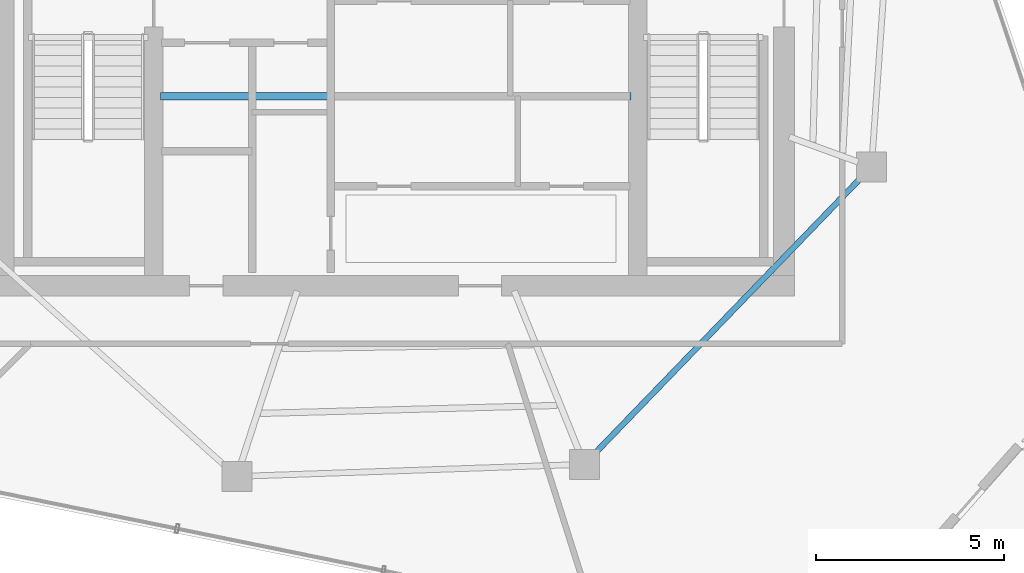
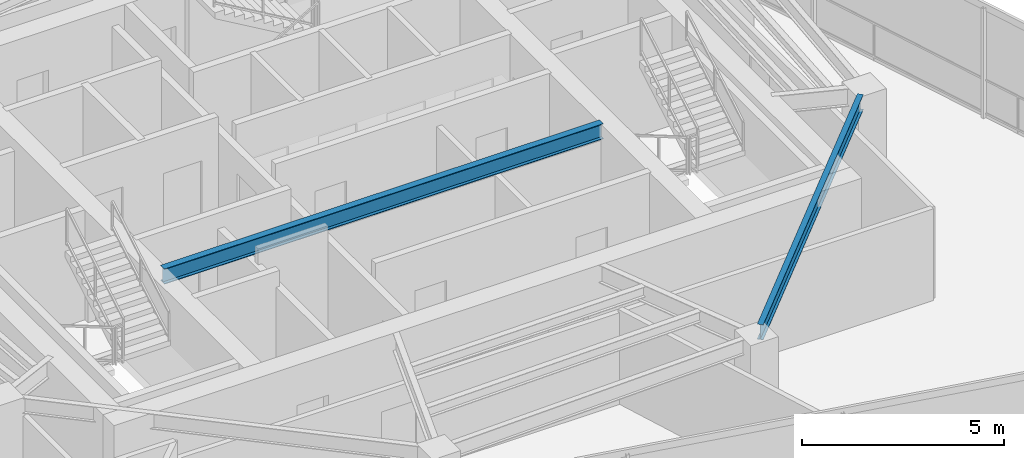
# One storey, part 5 of 18: 2 beams.
"""IFC4 building model written with IfcOpenShell, lengths in metres."""

import ifcopenshell
import ifcopenshell.guid

model = None  # the IFC model being written
_history = None  # IfcOwnerHistory: only IFC2X3 demands one
_inside = {}  # id of a spatial element -> (the spatial element, [elements in it])
_under = {}  # id of a project, library or spatial element -> (it, [spatial elements below it])
_declared = {}  # id of a project -> (the project, [libraries it declares])
_typed = {}  # id of a type object -> (the type object, [elements of that type])
_made_of = {}  # id of a material, layer set ... -> (it, [elements and type objects made of it])


def new_model(schema):
    """Start an empty IFC model of exactly this schema.

    Asked for "IFC4X3", IfcOpenShell would pick the latest addendum, in which some entities
    have other attributes; the version numbers below select the first issue.
    IFC2X3 requires an IfcOwnerHistory on every rooted entity: one is made here for all.
    """
    global model, _history
    if schema == "IFC4X3":
        model = ifcopenshell.file(schema_version=(4, 3, 0, 0))
    else:
        model = ifcopenshell.file(schema=schema)
    _inside.clear()
    _under.clear()
    _declared.clear()
    _typed.clear()
    _made_of.clear()
    _history = None
    if model.schema == "IFC2X3":
        org = make("IfcOrganization", Name="unknown")
        user = make(
            "IfcPersonAndOrganization",
            ThePerson=make("IfcPerson", FamilyName="unknown"),
            TheOrganization=org,
        )
        app = make(
            "IfcApplication",
            ApplicationDeveloper=org,
            Version="unknown",
            ApplicationFullName="unknown",
            ApplicationIdentifier="unknown",
        )
        _history = make(
            "IfcOwnerHistory",
            OwningUser=user,
            OwningApplication=app,
            ChangeAction="ADDED",
            CreationDate=0,
        )
    return model


def make(cls, **values):
    """One entity of the class cls with the attributes given. An attribute that is None is left unset."""
    return model.create_entity(
        cls, **{name: value for name, value in values.items() if value is not None}
    )


def rooted(cls, **values):
    """An entity with a GlobalId (a new one), such as an element, a storey or a relation."""
    return make(cls, GlobalId=ifcopenshell.guid.new(), OwnerHistory=_history, **values)


def si_unit(unit_type, name, prefix=None):
    """IfcSIUnit, for example si_unit("LENGTHUNIT", "METRE", prefix="MILLI")."""
    return make("IfcSIUnit", UnitType=unit_type, Prefix=prefix, Name=name)


def assignment(units):
    """IfcUnitAssignment: the units of a project."""
    return None if units is None else make("IfcUnitAssignment", Units=units)


def point(xyz):
    """IfcCartesianPoint."""
    return None if xyz is None else make("IfcCartesianPoint", Coordinates=xyz)


def direction(xyz):
    """IfcDirection."""
    return None if xyz is None else make("IfcDirection", DirectionRatios=xyz)


def frame(location, z_axis=None, x_axis=None):
    """IfcAxis2Placement3D, a coordinate frame: its origin and axes. An axis left out is left unset."""
    return make(
        "IfcAxis2Placement3D",
        Location=point(location),
        Axis=direction(z_axis),
        RefDirection=direction(x_axis),
    )


def frame_2d(location, x_axis=None):
    """IfcAxis2Placement2D, a coordinate frame in the plane: its origin and x axis."""
    return make(
        "IfcAxis2Placement2D", Location=point(location), RefDirection=direction(x_axis)
    )


def origin():
    """The frame at (0, 0, 0) with its axes left unset."""
    return frame((0.0, 0.0, 0.0))


def origin_2d():
    """The frame at (0, 0) in the plane with its x axis left unset."""
    return frame_2d((0.0, 0.0))


def place(relative_to, where):
    """IfcLocalPlacement: puts the frame where relative to a parent placement (None: the world)."""
    return make(
        "IfcLocalPlacement", PlacementRelTo=relative_to, RelativePlacement=where
    )


def context(
    kind, dimensions, precision=None, world=None, true_north=None, identifier=None
):
    """IfcGeometricRepresentationContext, for example the 3D "Model" context."""
    return make(
        "IfcGeometricRepresentationContext",
        ContextIdentifier=identifier,
        ContextType=kind,
        CoordinateSpaceDimension=dimensions,
        Precision=precision,
        WorldCoordinateSystem=world,
        TrueNorth=true_north,
    )


def subcontext(parent, identifier, kind, view, scale=None):
    """IfcGeometricRepresentationSubContext, for example "Body" below "Model"."""
    return make(
        "IfcGeometricRepresentationSubContext",
        ContextIdentifier=identifier,
        ContextType=kind,
        ParentContext=parent,
        TargetScale=scale,
        TargetView=view,
    )


def project(units=None, contexts=None):
    """IfcProject with its units and contexts."""
    return rooted(
        "IfcProject",
        Name="project",
        RepresentationContexts=contexts,
        UnitsInContext=assignment(units),
    )


def spatial(cls, under=None, at=None, **own):
    """A site, building, storey or space (cls), placed at a placement, below another one or the project."""
    s = rooted(cls, ObjectPlacement=at, **own)
    if under is not None:
        _under.setdefault(under.id(), (under, []))[1].append(s)
    return s


def profile(cls, at=None, kind="AREA", **sizes):
    """A parametric profile (cls). Its sizes go by their IFC names, for example OverallWidth=200.0."""
    return make(cls, ProfileType=kind, Position=at, **sizes)


def i_section(**sizes):
    """IfcIShapeProfileDef."""
    return profile("IfcIShapeProfileDef", **sizes)


def extrude(swept, where, along, depth):
    """IfcExtrudedAreaSolid: the profile swept, set in the frame where, extruded along a direction by depth."""
    return make(
        "IfcExtrudedAreaSolid",
        SweptArea=swept,
        Position=where,
        ExtrudedDirection=direction(along),
        Depth=depth,
    )


def shape(context_of_items, identifier, shape_type, items):
    """IfcShapeRepresentation: the items that make up one representation, for example the "Body"."""
    return make(
        "IfcShapeRepresentation",
        ContextOfItems=context_of_items,
        RepresentationIdentifier=identifier,
        RepresentationType=shape_type,
        Items=items,
    )


def material(Name=None, Category=None):
    """IfcMaterial."""
    return make("IfcMaterial", Name=Name, Category=Category)


def material_profile(
    of_material, cross_section, Name=None, Category=None, Priority=None
):
    """IfcMaterialProfile: a cross section and its material."""
    return make(
        "IfcMaterialProfile",
        Name=Name,
        Material=of_material,
        Profile=cross_section,
        Priority=Priority,
        Category=Category,
    )


def profile_set(profiles, Name=None, composite=None):
    """IfcMaterialProfileSet."""
    return make(
        "IfcMaterialProfileSet",
        Name=Name,
        MaterialProfiles=profiles,
        CompositeProfile=composite,
    )


def made_of(thing, what):
    """Note that an element or type object is made of a material, layer set ...; save() writes the relation."""
    if what is not None:
        _made_of.setdefault(what.id(), (what, []))[1].append(thing)
    return thing


def type_object(cls, material=None, **own):
    """A type object (cls), such as IfcWallType, which elements share."""
    return made_of(rooted(cls, **own), material)


def element(
    cls,
    number,
    at=None,
    inside=None,
    cuts=None,
    type_object=None,
    material=None,
    context=None,
    identifier="Body",
    shape_type=None,
    held_by="IfcProductDefinitionShape",
    body=None,
    shapes=None,
    **own,
):
    """One element of the class cls, such as IfcWall. Its Tag is "e" and its number.

    at: its placement. inside: the storey or other place that contains it. cuts: it is an
    opening in that element (IfcRelVoidsElement). A single representation is given by context,
    identifier, shape_type and body (its items); several are given by shapes. held_by: the class
    of the entity that holds the representations. save() writes the other relations.
    """
    e = rooted(cls, Tag="e%d" % number, ObjectPlacement=at, **own)
    if body is not None:
        shapes = [shape(context, identifier, shape_type, body)]
    if shapes is not None:
        e.Representation = make(held_by, Representations=shapes)
    if inside is not None:
        _inside.setdefault(inside.id(), (inside, []))[1].append(e)
    if cuts is not None:
        rooted(
            "IfcRelVoidsElement", RelatingBuildingElement=cuts, RelatedOpeningElement=e
        )
    if type_object is not None:
        _typed.setdefault(type_object.id(), (type_object, []))[1].append(e)
    return made_of(e, material)


def aggregate(whole, parts):
    """IfcRelAggregates: a whole, such as a stair, and the parts it consists of."""
    return rooted("IfcRelAggregates", RelatingObject=whole, RelatedObjects=parts)


def save(model, path):
    """Write the relations noted so far, then the file.

    IfcRelAggregates (storeys below a building ...), IfcRelContainedInSpatialStructure (elements
    in a storey), IfcRelDefinesByType, IfcRelAssociatesMaterial and IfcRelDeclares: one each for
    every whole, place, type object, material and project.
    """
    for whole, parts in _under.values():
        aggregate(whole, parts)
    for where, things in _inside.values():
        rooted(
            "IfcRelContainedInSpatialStructure",
            RelatedElements=things,
            RelatingStructure=where,
        )
    for kind, things in _typed.values():
        rooted("IfcRelDefinesByType", RelatedObjects=things, RelatingType=kind)
    for what, things in _made_of.values():
        rooted("IfcRelAssociatesMaterial", RelatedObjects=things, RelatingMaterial=what)
    for by, libraries in _declared.values():
        rooted("IfcRelDeclares", RelatingContext=by, RelatedDefinitions=libraries)
    model.write(path)


model = new_model("IFC4")

# Units and contexts
model_context = context("Model", 3, precision=1e-05, world=origin(), true_north=direction((0.0, 1.0)))
body_context = subcontext(model_context, "Body", "Model", "MODEL_VIEW")
ifc_project = project(units=[si_unit("LENGTHUNIT", "METRE"), si_unit("AREAUNIT", "SQUARE_METRE"), si_unit("VOLUMEUNIT", "CUBIC_METRE"), si_unit("PLANEANGLEUNIT", "RADIAN"), si_unit("MASSUNIT", "GRAM", prefix="KILO")], contexts=[model_context])

# Site, building, storey
site_placement = place(None, origin())
site = spatial("IfcSite", under=ifc_project, at=site_placement, CompositionType="ELEMENT")
building_placement = place(site_placement, origin())
building = spatial("IfcBuilding", under=site, at=building_placement, Name="Qarnah Convention Tower", CompositionType="ELEMENT")
storey_placement = place(building_placement, frame((0.0, 0.0, 249.89990234375)))
storey = spatial("IfcBuildingStorey", under=building, at=storey_placement, Name="L67", CompositionType="ELEMENT", Elevation=249.89990234375)

# Beams
ifc_material = material(Name="Structural steel S355JR", Category="steel")
ifc_material_profile_1 = material_profile(ifc_material, i_section(OverallWidth=0.19189453125, OverallDepth=0.464111328125, WebThickness=0.010986328125, FlangeThickness=0.01806640625, at=origin_2d()), Name="W460X89")
ifc_profile_set_1 = profile_set([ifc_material_profile_1], Name="Structural steel S355JR")
beam_type_1 = type_object("IfcBeamType", Name="BM-CANT-W460A", PredefinedType="BEAM", material=ifc_profile_set_1)
beam_1_placement = place(storey_placement, frame((30.97998046875, 23.64990234375, 3.088134765625), z_axis=(1.0, 0.0, 0.0), x_axis=(0.0, 1.0, 0.0)))
element("IfcBeam", 1, at=beam_1_placement, inside=storey, type_object=beam_type_1, Name="L67 beam BM-L67-KC1", PredefinedType="BEAM", context=body_context, shape_type="SweptSolid", body=[
    extrude(i_section(OverallWidth=0.19189453125, OverallDepth=0.464111328125, WebThickness=0.010986328125, FlangeThickness=0.01806640625, at=origin_2d()), origin(), (0.0, 0.0, 1.0), 12.5400390625),
])
ifc_material_profile_2 = material_profile(ifc_material, i_section(OverallWidth=0.154052734375, OverallDepth=0.4599609375, WebThickness=0.009033203125, FlangeThickness=0.014892578125, at=origin_2d()), Name="W460X68")
ifc_profile_set_2 = profile_set([ifc_material_profile_2], Name="Structural steel S355JR")
beam_type_2 = type_object("IfcBeamType", Name="BM-SPN-W460B", PredefinedType="SPANDREL", material=ifc_profile_set_2)
beam_2_placement = place(storey_placement, frame((42.547119140625, 14.117919921875, 3.090087890625), z_axis=(0.694687671008, 0.719311503974, 0.0), x_axis=(-0.719311503974, 0.694687671008, 0.0)))
element("IfcBeam", 2, at=beam_2_placement, inside=storey, type_object=beam_type_2, Name="L67 spandrel BM-L67-SPN-08", PredefinedType="SPANDREL", context=body_context, shape_type="SweptSolid", body=[
    extrude(i_section(OverallWidth=0.154052734375, OverallDepth=0.4599609375, WebThickness=0.009033203125, FlangeThickness=0.014892578125, at=origin_2d()), origin(), (0.0, 0.0, 1.0), 10.241943359375),
])

save(model, "model.ifc")
